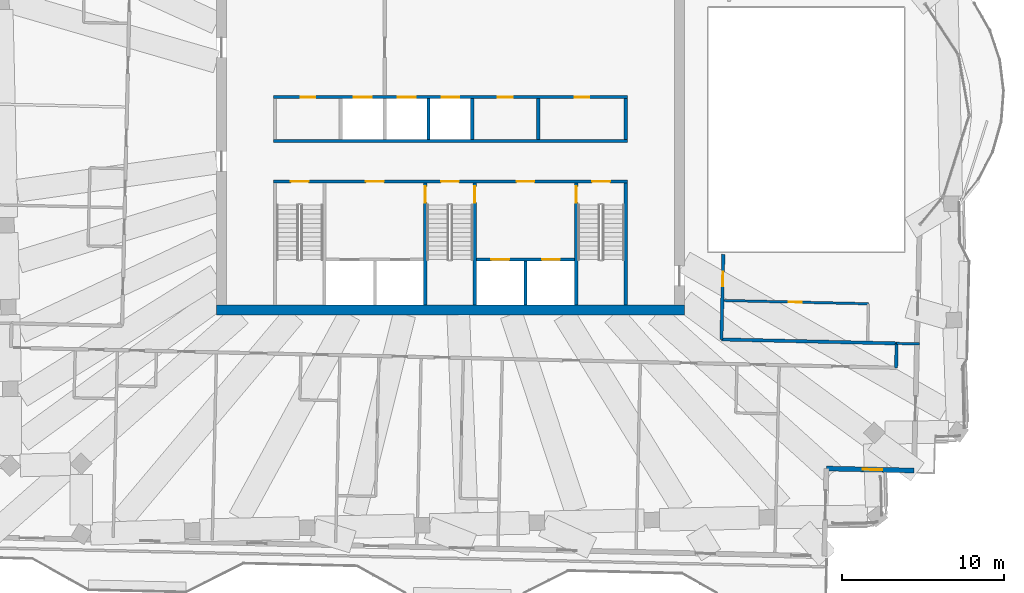
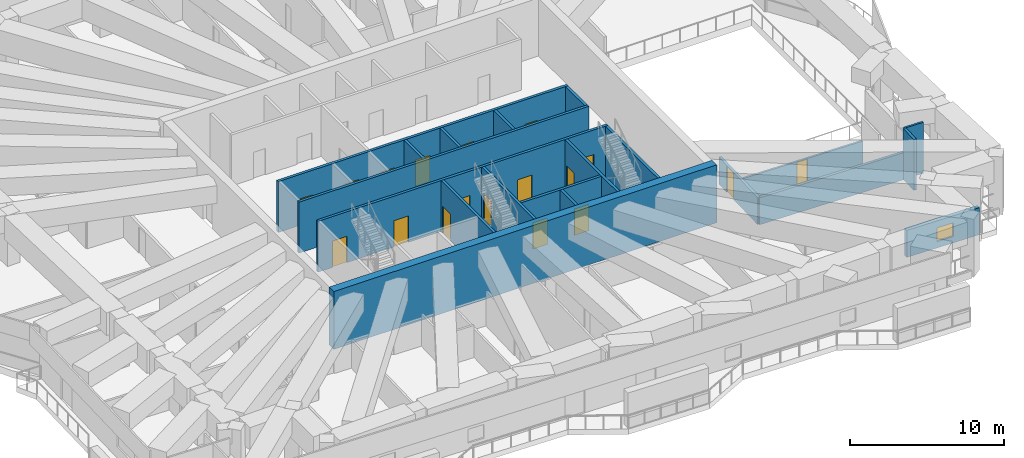
# One storey, part 11 of 20: 20 walls, 18 doors, 1 window, 19 openings.
"""IFC4 building model written with IfcOpenShell, lengths in metres."""

from ifc_helpers import new_model, si_unit, direction, frame, frame_2d, origin, place, context, subcontext, project, spatial, rectangle, extrude, material, layer, layer_set, type_object, element, fill, save


model = new_model("IFC4")

# Units and contexts
model_context = context("Model", 3, precision=1e-05, world=origin(), true_north=direction((0.0, 1.0)))
body_context = subcontext(model_context, "Body", "Model", "MODEL_VIEW")
ifc_project = project(units=[si_unit("LENGTHUNIT", "METRE"), si_unit("AREAUNIT", "SQUARE_METRE"), si_unit("VOLUMEUNIT", "CUBIC_METRE"), si_unit("PLANEANGLEUNIT", "RADIAN"), si_unit("MASSUNIT", "GRAM", prefix="KILO")], contexts=[model_context])

# Site, building, storey
site_placement = place(None, origin())
site = spatial("IfcSite", under=ifc_project, at=site_placement, CompositionType="ELEMENT")
building_placement = place(site_placement, origin())
building = spatial("IfcBuilding", under=site, at=building_placement, Name="Mangrove Gate Tower", CompositionType="ELEMENT")
storey_placement = place(building_placement, frame((0.0, 0.0, 301.5)))
storey = spatial("IfcBuildingStorey", under=building, at=storey_placement, Name="L77", CompositionType="ELEMENT", Elevation=301.5)

# Walls
ifc_material_1 = material(Name="Concrete C32/40", Category="concrete")
ifc_layer_1 = layer(ifc_material_1, 0.199951171875)
ifc_layer_set_1 = layer_set([ifc_layer_1], Name="Core room wall 200 C32/40")
wall_type_1 = type_object("IfcWallType", Name="Core room wall 200 C32/40", PredefinedType="STANDARD", material=ifc_layer_set_1)
for number, where, z_axis, x_axis, name in (
    (1, (5.39990234375, -0.60009765625, 0.0), (0.0, 0.0, 1.0), (0.0, 1.0, 0.0), "WALL-L77-CORE-24"),
    (2, (10.800048828125, -0.60009765625, 0.0), (0.0, 0.0, 1.0), (0.0, 1.0, 0.0), "WALL-L77-CORE-25"),
):
    element("IfcWall", number, at=place(storey_placement, frame(where, z_axis=z_axis, x_axis=x_axis)), inside=storey, type_object=wall_type_1, Name=name, PredefinedType="STANDARD", context=body_context, shape_type="SweptSolid", body=[
        extrude(rectangle(XDim=2.5, YDim=0.199951171875, at=frame_2d((1.25, 0.0))), origin(), (0.0, 0.0, 1.0), 4.050048828125),
    ])
ifc_material_2 = material(Name="Concrete C50/60", Category="concrete")
ifc_layer_2 = layer(ifc_material_2, 0.199951171875)
ifc_layer_set_2 = layer_set([ifc_layer_2], Name="Core shaft wall 200 C50/60")
wall_type_2 = type_object("IfcWallType", Name="Core shaft wall 200 C50/60", PredefinedType="SHEAR", material=ifc_layer_set_2)
wall_1_placement = place(storey_placement, frame((-10.89990234375, -0.699951171875, 0.0), z_axis=(0.0, 0.0, 1.0), x_axis=(1.0, 0.0, 0.0)))
element("IfcWall", 3, at=wall_1_placement, inside=storey, type_object=wall_type_2, Name="WALL-L77-CORE-6", PredefinedType="SHEAR", context=body_context, shape_type="SweptSolid", body=[
    extrude(rectangle(XDim=21.7998046875, YDim=0.199951171875, at=frame_2d((10.89990234375, 0.0))), origin(), (0.0, 0.0, 1.0), 4.050048828125),
])

# Wall, openings, doors
wall_2_placement = place(storey_placement, frame((-10.89990234375, 2.0, 0.0), z_axis=(0.0, 0.0, 1.0), x_axis=(1.0, 0.0, 0.0)))
wall_2 = element("IfcWall", 4, at=wall_2_placement, inside=storey, type_object=wall_type_2, Name="WALL-L77-CORE-7", PredefinedType="SHEAR", context=body_context, shape_type="SweptSolid", body=[
    extrude(rectangle(XDim=21.7998046875, YDim=0.199951171875, at=frame_2d((10.89990234375, 0.0))), origin(), (0.0, 0.0, 1.0), 4.050048828125),
])
opening_1_placement = place(wall_2_placement, frame((4.949951171875, 0.0, 0.0)))
opening_1 = element("IfcOpeningElement", 5, at=opening_1_placement, cuts=wall_2, Name="Opening LD", PredefinedType="OPENING", context=body_context, shape_type="SweptSolid", body=[
    extrude(rectangle(XDim=1.10009765625, YDim=2.10009765625, at=frame_2d((0.550048828125, 1.050048828125))), frame((0.0, 0.10986328125, 0.0), z_axis=(0.0, -1.0, 0.0), x_axis=(1.0, 0.0, 0.0)), (0.0, 0.0, 1.0), 0.219970703125),
])
opening_2_placement = place(wall_2_placement, frame((7.64990234375, 0.0, 0.0)))
opening_2 = element("IfcOpeningElement", 6, at=opening_2_placement, cuts=wall_2, Name="Opening LD", PredefinedType="OPENING", context=body_context, shape_type="SweptSolid", body=[
    extrude(rectangle(XDim=1.10009765625, YDim=2.10009765625, at=frame_2d((0.550048828125, 1.050048828125))), frame((0.0, 0.10986328125, 0.0), z_axis=(0.0, -1.0, 0.0), x_axis=(1.0, 0.0, 0.0)), (0.0, 0.0, 1.0), 0.219970703125),
])
opening_3_placement = place(wall_2_placement, frame((10.35009765625, 0.0, 0.0)))
opening_3 = element("IfcOpeningElement", 7, at=opening_3_placement, cuts=wall_2, Name="Opening LD", PredefinedType="OPENING", context=body_context, shape_type="SweptSolid", body=[
    extrude(rectangle(XDim=1.10009765625, YDim=2.10009765625, at=frame_2d((0.550048828125, 1.050048828125))), frame((0.0, 0.10986328125, 0.0), z_axis=(0.0, -1.0, 0.0), x_axis=(1.0, 0.0, 0.0)), (0.0, 0.0, 1.0), 0.219970703125),
])
opening_4_placement = place(wall_2_placement, frame((1.675048828125, 0.0, 0.0)))
opening_4 = element("IfcOpeningElement", 8, at=opening_4_placement, cuts=wall_2, Name="Opening RD", PredefinedType="OPENING", context=body_context, shape_type="SweptSolid", body=[
    extrude(rectangle(XDim=0.89990234375, YDim=2.10009765625, at=frame_2d((0.449951171875, 1.050048828125))), frame((0.0, 0.10986328125, 0.0), z_axis=(0.0, -1.0, 0.0), x_axis=(1.0, 0.0, 0.0)), (0.0, 0.0, 1.0), 0.219970703125),
])
opening_5_placement = place(wall_2_placement, frame((13.824951171875, 0.0, 0.0)))
opening_5 = element("IfcOpeningElement", 9, at=opening_5_placement, cuts=wall_2, Name="Opening KD", PredefinedType="OPENING", context=body_context, shape_type="SweptSolid", body=[
    extrude(rectangle(XDim=0.89990234375, YDim=2.10009765625, at=frame_2d((0.449951171875, 1.050048828125))), frame((0.0, 0.10986328125, 0.0), z_axis=(0.0, -1.0, 0.0), x_axis=(1.0, 0.0, 0.0)), (0.0, 0.0, 1.0), 0.219970703125),
])
opening_6_placement = place(wall_2_placement, frame((18.550048828125, 0.0, 0.0)))
opening_6 = element("IfcOpeningElement", 10, at=opening_6_placement, cuts=wall_2, Name="Opening KD", PredefinedType="OPENING", context=body_context, shape_type="SweptSolid", body=[
    extrude(rectangle(XDim=0.89990234375, YDim=2.10009765625, at=frame_2d((0.449951171875, 1.050048828125))), frame((0.0, 0.10986328125, 0.0), z_axis=(0.0, -1.0, 0.0), x_axis=(1.0, 0.0, 0.0)), (0.0, 0.0, 1.0), 0.219970703125),
])
ifc_material_3 = material(Name="Fire-rated steel door set", Category="steel")
door_type_1 = type_object("IfcDoorType", Name="Core room door FD30S 900x2100", OperationType="SINGLE_SWING_RIGHT", PredefinedType="DOOR", material=ifc_material_3)
door_1_placement = place(opening_5_placement, origin())
door_1 = element("IfcDoor", 11, at=door_1_placement, inside=storey, type_object=door_type_1, Name="Core room door Core WC", OperationType="SINGLE_SWING_RIGHT", OverallHeight=2.10009765625, OverallWidth=0.89990234375, PredefinedType="DOOR", context=body_context, shape_type="SweptSolid", body=[
    extrude(rectangle(XDim=0.89990234375, YDim=2.10009765625, at=frame_2d((0.449951171875, 1.050048828125))), frame((0.0, 0.02490234375, 0.0), z_axis=(0.0, -1.0, 0.0), x_axis=(1.0, 0.0, 0.0)), (0.0, 0.0, 1.0), 0.050048828125),
])
fill(opening_5, door_1)
door_2_placement = place(opening_6_placement, origin())
door_2 = element("IfcDoor", 12, at=door_2_placement, inside=storey, type_object=door_type_1, Name="Core room door Pantry store", OperationType="SINGLE_SWING_RIGHT", OverallHeight=2.10009765625, OverallWidth=0.89990234375, PredefinedType="DOOR", context=body_context, shape_type="SweptSolid", body=[
    extrude(rectangle(XDim=0.89990234375, YDim=2.10009765625, at=frame_2d((0.449951171875, 1.050048828125))), frame((0.0, 0.02490234375, 0.0), z_axis=(0.0, -1.0, 0.0), x_axis=(1.0, 0.0, 0.0)), (0.0, 0.0, 1.0), 0.050048828125),
])
fill(opening_6, door_2)
ifc_material_4 = material(Name="Stainless steel 316", Category="steel")
door_type_2 = type_object("IfcDoorType", Name="Lift landing door 1100x2100", OperationType="SLIDING_TO_LEFT", PredefinedType="DOOR", material=ifc_material_4)
door_3_placement = place(opening_1_placement, origin())
door_3 = element("IfcDoor", 13, at=door_3_placement, inside=storey, type_object=door_type_2, Name="Landing door LD H01", OperationType="SLIDING_TO_LEFT", OverallHeight=2.10009765625, OverallWidth=1.10009765625, PredefinedType="DOOR", context=body_context, shape_type="SweptSolid", body=[
    extrude(rectangle(XDim=1.10009765625, YDim=2.10009765625, at=frame_2d((0.550048828125, 1.050048828125))), frame((0.0, 0.02490234375, 0.0), z_axis=(0.0, -1.0, 0.0), x_axis=(1.0, 0.0, 0.0)), (0.0, 0.0, 1.0), 0.050048828125),
])
fill(opening_1, door_3)
door_4_placement = place(opening_2_placement, origin())
door_4 = element("IfcDoor", 14, at=door_4_placement, inside=storey, type_object=door_type_2, Name="Landing door LD H02", OperationType="SLIDING_TO_LEFT", OverallHeight=2.10009765625, OverallWidth=1.10009765625, PredefinedType="DOOR", context=body_context, shape_type="SweptSolid", body=[
    extrude(rectangle(XDim=1.10009765625, YDim=2.10009765625, at=frame_2d((0.550048828125, 1.050048828125))), frame((0.0, 0.02490234375, 0.0), z_axis=(0.0, -1.0, 0.0), x_axis=(1.0, 0.0, 0.0)), (0.0, 0.0, 1.0), 0.050048828125),
])
fill(opening_2, door_4)
door_5_placement = place(opening_3_placement, origin())
door_5 = element("IfcDoor", 15, at=door_5_placement, inside=storey, type_object=door_type_2, Name="Landing door LD H03", OperationType="SLIDING_TO_LEFT", OverallHeight=2.10009765625, OverallWidth=1.10009765625, PredefinedType="DOOR", context=body_context, shape_type="SweptSolid", body=[
    extrude(rectangle(XDim=1.10009765625, YDim=2.10009765625, at=frame_2d((0.550048828125, 1.050048828125))), frame((0.0, 0.02490234375, 0.0), z_axis=(0.0, -1.0, 0.0), x_axis=(1.0, 0.0, 0.0)), (0.0, 0.0, 1.0), 0.050048828125),
])
fill(opening_3, door_5)
ifc_material_5 = material(Name="Fire-rated steel door set", Category="steel")
door_type_3 = type_object("IfcDoorType", Name="Riser door FD30S 900x2100", OperationType="SINGLE_SWING_LEFT", PredefinedType="DOOR", material=ifc_material_5)
door_6_placement = place(opening_4_placement, origin())
door_6 = element("IfcDoor", 16, at=door_6_placement, inside=storey, type_object=door_type_3, Name="Riser door Comms room", OperationType="SINGLE_SWING_LEFT", OverallHeight=2.10009765625, OverallWidth=0.89990234375, PredefinedType="DOOR", context=body_context, shape_type="SweptSolid", body=[
    extrude(rectangle(XDim=0.89990234375, YDim=2.10009765625, at=frame_2d((0.449951171875, 1.050048828125))), frame((0.0, 0.02490234375, 0.0), z_axis=(0.0, -1.0, 0.0), x_axis=(1.0, 0.0, 0.0)), (0.0, 0.0, 1.0), 0.050048828125),
])
fill(opening_4, door_6)

wall_3_placement = place(storey_placement, frame((1.60009765625, -8.0, 0.0), z_axis=(0.0, 0.0, 1.0), x_axis=(1.0, 0.0, 0.0)))
wall_3 = element("IfcWall", 17, at=wall_3_placement, inside=storey, type_object=wall_type_2, Name="WALL-L77-CORE-17", PredefinedType="SHEAR", context=body_context, shape_type="SweptSolid", body=[
    extrude(rectangle(XDim=6.0498046875, YDim=0.199951171875, at=frame_2d((3.02490234375, 0.0))), origin(), (0.0, 0.0, 1.0), 4.050048828125),
])
opening_7_placement = place(wall_3_placement, frame((0.91259765625, 0.0, 0.0)))
opening_7 = element("IfcOpeningElement", 18, at=opening_7_placement, cuts=wall_3, Name="Opening LD", PredefinedType="OPENING", context=body_context, shape_type="SweptSolid", body=[
    extrude(rectangle(XDim=1.10009765625, YDim=2.10009765625, at=frame_2d((0.550048828125, 1.050048828125))), frame((0.0, 0.10986328125, 0.0), z_axis=(0.0, -1.0, 0.0), x_axis=(1.0, 0.0, 0.0)), (0.0, 0.0, 1.0), 0.219970703125),
])
opening_8_placement = place(wall_3_placement, frame((4.03759765625, 0.0, 0.0)))
opening_8 = element("IfcOpeningElement", 19, at=opening_8_placement, cuts=wall_3, Name="Opening LD", PredefinedType="OPENING", context=body_context, shape_type="SweptSolid", body=[
    extrude(rectangle(XDim=1.10009765625, YDim=2.10009765625, at=frame_2d((0.550048828125, 1.050048828125))), frame((0.0, 0.10986328125, 0.0), z_axis=(0.0, -1.0, 0.0), x_axis=(1.0, 0.0, 0.0)), (0.0, 0.0, 1.0), 0.219970703125),
])
door_7_placement = place(opening_7_placement, origin())
door_7 = element("IfcDoor", 20, at=door_7_placement, inside=storey, type_object=door_type_2, Name="Landing door LD FFL1", OperationType="SLIDING_TO_LEFT", OverallHeight=2.10009765625, OverallWidth=1.10009765625, PredefinedType="DOOR", context=body_context, shape_type="SweptSolid", body=[
    extrude(rectangle(XDim=1.10009765625, YDim=2.10009765625, at=frame_2d((0.550048828125, 1.050048828125))), frame((0.0, 0.02490234375, 0.0), z_axis=(0.0, -1.0, 0.0), x_axis=(1.0, 0.0, 0.0)), (0.0, 0.0, 1.0), 0.050048828125),
])
fill(opening_7, door_7)
door_8_placement = place(opening_8_placement, origin())
door_8 = element("IfcDoor", 21, at=door_8_placement, inside=storey, type_object=door_type_2, Name="Landing door LD FFL2", OperationType="SLIDING_TO_LEFT", OverallHeight=2.10009765625, OverallWidth=1.10009765625, PredefinedType="DOOR", context=body_context, shape_type="SweptSolid", body=[
    extrude(rectangle(XDim=1.10009765625, YDim=2.10009765625, at=frame_2d((0.550048828125, 1.050048828125))), frame((0.0, 0.02490234375, 0.0), z_axis=(0.0, -1.0, 0.0), x_axis=(1.0, 0.0, 0.0)), (0.0, 0.0, 1.0), 0.050048828125),
])
fill(opening_8, door_8)

# Walls
wall_4_placement = place(storey_placement, frame((4.625, -10.800048828125, 0.0), z_axis=(0.0, 0.0, 1.0), x_axis=(0.0, 1.0, 0.0)))
element("IfcWall", 22, at=wall_4_placement, inside=storey, type_object=wall_type_2, Name="WALL-L77-CORE-18", PredefinedType="SHEAR", context=body_context, shape_type="SweptSolid", body=[
    extrude(rectangle(XDim=2.699951171875, YDim=0.199951171875, at=frame_2d((1.35009765625, 0.0))), origin(), (0.0, 0.0, 1.0), 4.050048828125),
])
for number, where, z_axis, x_axis, name in (
    (23, (-1.35009765625, -0.60009765625, 0.0), (0.0, 0.0, 1.0), (0.0, 1.0, 0.0), "WALL-L77-CORE-22"),
    (24, (1.35009765625, -0.60009765625, 0.0), (0.0, 0.0, 1.0), (0.0, 1.0, 0.0), "WALL-L77-CORE-23"),
):
    element("IfcWall", number, at=place(storey_placement, frame(where, z_axis=z_axis, x_axis=x_axis)), inside=storey, type_object=wall_type_2, Name=name, PredefinedType="SHEAR", context=body_context, shape_type="SweptSolid", body=[
        extrude(rectangle(XDim=2.5, YDim=0.199951171875, at=frame_2d((1.25, 0.0))), origin(), (0.0, 0.0, 1.0), 4.050048828125),
    ])

# Wall, openings, doors
ifc_material_6 = material(Name="Concrete C50/60", Category="concrete")
ifc_layer_3 = layer(ifc_material_6, 0.199951171875)
ifc_layer_set_3 = layer_set([ifc_layer_3], Name="Core stair wall 200 C50/60")
wall_type_3 = type_object("IfcWallType", Name="Core stair wall 200 C50/60", PredefinedType="SHEAR", material=ifc_layer_set_3)
wall_5_placement = place(storey_placement, frame((-10.89990234375, -3.199951171875, 0.0), z_axis=(0.0, 0.0, 1.0), x_axis=(1.0, 0.0, 0.0)))
wall_5 = element("IfcWall", 25, at=wall_5_placement, inside=storey, type_object=wall_type_3, Name="WALL-L77-CORE-5", PredefinedType="SHEAR", context=body_context, shape_type="SweptSolid", body=[
    extrude(rectangle(XDim=21.7998046875, YDim=0.199951171875, at=frame_2d((10.89990234375, 0.0))), origin(), (0.0, 0.0, 1.0), 4.050048828125),
])
opening_9_placement = place(wall_5_placement, frame((1.074951171875, 0.0, 0.0)))
opening_9 = element("IfcOpeningElement", 26, at=opening_9_placement, cuts=wall_5, Name="Opening STD11", PredefinedType="OPENING", context=body_context, shape_type="SweptSolid", body=[
    extrude(rectangle(XDim=1.10009765625, YDim=2.10009765625, at=frame_2d((0.550048828125, 1.050048828125))), frame((0.0, 0.10986328125, 0.0), z_axis=(0.0, -1.0, 0.0), x_axis=(1.0, 0.0, 0.0)), (0.0, 0.0, 1.0), 0.219970703125),
])
opening_10_placement = place(wall_5_placement, frame((10.324951171875, 0.0, 0.0)))
opening_10 = element("IfcOpeningElement", 27, at=opening_10_placement, cuts=wall_5, Name="Opening STD11", PredefinedType="OPENING", context=body_context, shape_type="SweptSolid", body=[
    extrude(rectangle(XDim=1.10009765625, YDim=2.10009765625, at=frame_2d((0.550048828125, 1.050048828125))), frame((0.0, 0.10986328125, 0.0), z_axis=(0.0, -1.0, 0.0), x_axis=(1.0, 0.0, 0.0)), (0.0, 0.0, 1.0), 0.219970703125),
])
opening_11_placement = place(wall_5_placement, frame((19.625, 0.0, 0.0)))
opening_11 = element("IfcOpeningElement", 28, at=opening_11_placement, cuts=wall_5, Name="Opening STD11", PredefinedType="OPENING", context=body_context, shape_type="SweptSolid", body=[
    extrude(rectangle(XDim=1.10009765625, YDim=2.10009765625, at=frame_2d((0.550048828125, 1.050048828125))), frame((0.0, 0.10986328125, 0.0), z_axis=(0.0, -1.0, 0.0), x_axis=(1.0, 0.0, 0.0)), (0.0, 0.0, 1.0), 0.219970703125),
])
opening_12_placement = place(wall_5_placement, frame((5.699951171875, 0.0, 0.0)))
opening_12 = element("IfcOpeningElement", 29, at=opening_12_placement, cuts=wall_5, Name="Opening FL", PredefinedType="OPENING", context=body_context, shape_type="SweptSolid", body=[
    extrude(rectangle(XDim=1.10009765625, YDim=2.10009765625, at=frame_2d((0.550048828125, 1.050048828125))), frame((0.0, 0.10986328125, 0.0), z_axis=(0.0, -1.0, 0.0), x_axis=(1.0, 0.0, 0.0)), (0.0, 0.0, 1.0), 0.219970703125),
])
opening_13_placement = place(wall_5_placement, frame((14.97509765625, 0.0, 0.0)))
opening_13 = element("IfcOpeningElement", 30, at=opening_13_placement, cuts=wall_5, Name="Opening FL", PredefinedType="OPENING", context=body_context, shape_type="SweptSolid", body=[
    extrude(rectangle(XDim=1.10009765625, YDim=2.10009765625, at=frame_2d((0.550048828125, 1.050048828125))), frame((0.0, 0.10986328125, 0.0), z_axis=(0.0, -1.0, 0.0), x_axis=(1.0, 0.0, 0.0)), (0.0, 0.0, 1.0), 0.219970703125),
])
ifc_material_7 = material(Name="Fire-rated steel door set", Category="steel")
door_type_4 = type_object("IfcDoorType", Name="Lobby door FD60 1100x2100", OperationType="SINGLE_SWING_LEFT", PredefinedType="DOOR", material=ifc_material_7)
door_9_placement = place(opening_12_placement, origin())
door_9 = element("IfcDoor", 31, at=door_9_placement, inside=storey, type_object=door_type_4, Name="Lobby door service lobby", OperationType="SINGLE_SWING_LEFT", OverallHeight=2.10009765625, OverallWidth=1.10009765625, PredefinedType="DOOR", context=body_context, shape_type="SweptSolid", body=[
    extrude(rectangle(XDim=1.10009765625, YDim=2.10009765625, at=frame_2d((0.550048828125, 1.050048828125))), frame((0.0, 0.02490234375, 0.0), z_axis=(0.0, -1.0, 0.0), x_axis=(1.0, 0.0, 0.0)), (0.0, 0.0, 1.0), 0.050048828125),
])
fill(opening_12, door_9)
door_10_placement = place(opening_13_placement, origin())
door_10 = element("IfcDoor", 32, at=door_10_placement, inside=storey, type_object=door_type_4, Name="Lobby door fire-fighting lobby", OperationType="SINGLE_SWING_LEFT", OverallHeight=2.10009765625, OverallWidth=1.10009765625, PredefinedType="DOOR", context=body_context, shape_type="SweptSolid", body=[
    extrude(rectangle(XDim=1.10009765625, YDim=2.10009765625, at=frame_2d((0.550048828125, 1.050048828125))), frame((0.0, 0.02490234375, 0.0), z_axis=(0.0, -1.0, 0.0), x_axis=(1.0, 0.0, 0.0)), (0.0, 0.0, 1.0), 0.050048828125),
])
fill(opening_13, door_10)
ifc_material_8 = material(Name="Fire-rated steel door set", Category="steel")
door_type_5 = type_object("IfcDoorType", Name="Stair door FD60 1100x2100", OperationType="SINGLE_SWING_RIGHT", PredefinedType="DOOR", material=ifc_material_8)
door_11_placement = place(opening_9_placement, origin())
door_11 = element("IfcDoor", 33, at=door_11_placement, inside=storey, type_object=door_type_5, Name="Stair door Stair 1", OperationType="SINGLE_SWING_RIGHT", OverallHeight=2.10009765625, OverallWidth=1.10009765625, PredefinedType="DOOR", context=body_context, shape_type="SweptSolid", body=[
    extrude(rectangle(XDim=1.10009765625, YDim=2.10009765625, at=frame_2d((0.550048828125, 1.050048828125))), frame((0.0, 0.02490234375, 0.0), z_axis=(0.0, -1.0, 0.0), x_axis=(1.0, 0.0, 0.0)), (0.0, 0.0, 1.0), 0.050048828125),
])
fill(opening_9, door_11)
door_12_placement = place(opening_10_placement, origin())
door_12 = element("IfcDoor", 34, at=door_12_placement, inside=storey, type_object=door_type_5, Name="Stair door Stair 2", OperationType="SINGLE_SWING_RIGHT", OverallHeight=2.10009765625, OverallWidth=1.10009765625, PredefinedType="DOOR", context=body_context, shape_type="SweptSolid", body=[
    extrude(rectangle(XDim=1.10009765625, YDim=2.10009765625, at=frame_2d((0.550048828125, 1.050048828125))), frame((0.0, 0.02490234375, 0.0), z_axis=(0.0, -1.0, 0.0), x_axis=(1.0, 0.0, 0.0)), (0.0, 0.0, 1.0), 0.050048828125),
])
fill(opening_10, door_12)
door_13_placement = place(opening_11_placement, origin())
door_13 = element("IfcDoor", 35, at=door_13_placement, inside=storey, type_object=door_type_5, Name="Stair door Stair 3", OperationType="SINGLE_SWING_RIGHT", OverallHeight=2.10009765625, OverallWidth=1.10009765625, PredefinedType="DOOR", context=body_context, shape_type="SweptSolid", body=[
    extrude(rectangle(XDim=1.10009765625, YDim=2.10009765625, at=frame_2d((0.550048828125, 1.050048828125))), frame((0.0, 0.02490234375, 0.0), z_axis=(0.0, -1.0, 0.0), x_axis=(1.0, 0.0, 0.0)), (0.0, 0.0, 1.0), 0.050048828125),
])
fill(opening_11, door_13)

# Wall, opening, door
wall_6_placement = place(storey_placement, frame((-1.550048828125, -10.800048828125, 0.0), z_axis=(0.0, 0.0, 1.0), x_axis=(0.0, 1.0, 0.0)))
wall_6 = element("IfcWall", 36, at=wall_6_placement, inside=storey, type_object=wall_type_3, Name="WALL-L77-CORE-11", PredefinedType="SHEAR", context=body_context, shape_type="SweptSolid", body=[
    extrude(rectangle(XDim=7.5, YDim=0.199951171875, at=frame_2d((3.75, 0.0))), origin(), (0.0, 0.0, 1.0), 4.050048828125),
])
opening_14_placement = place(wall_6_placement, frame((6.300048828125, 0.0, 0.0)))
opening_14 = element("IfcOpeningElement", 37, at=opening_14_placement, cuts=wall_6, Name="Opening STD10", PredefinedType="OPENING", context=body_context, shape_type="SweptSolid", body=[
    extrude(rectangle(XDim=1.0, YDim=2.10009765625, at=frame_2d((0.5, 1.050048828125))), frame((0.0, 0.10986328125, 0.0), z_axis=(0.0, -1.0, 0.0), x_axis=(1.0, 0.0, 0.0)), (0.0, 0.0, 1.0), 0.219970703125),
])
ifc_material_9 = material(Name="Fire-rated steel door set", Category="steel")
door_type_6 = type_object("IfcDoorType", Name="Stair door FD60 1000x2100", OperationType="SINGLE_SWING_RIGHT", PredefinedType="DOOR", material=ifc_material_9)
door_14_placement = place(opening_14_placement, origin())
door_14 = element("IfcDoor", 38, at=door_14_placement, inside=storey, type_object=door_type_6, Name="Stair door Stair 2 from service lobby", OperationType="SINGLE_SWING_RIGHT", OverallHeight=2.10009765625, OverallWidth=1.0, PredefinedType="DOOR", context=body_context, shape_type="SweptSolid", body=[
    extrude(rectangle(XDim=1.0, YDim=2.10009765625, at=frame_2d((0.5, 1.050048828125))), frame((0.0, 0.02490234375, 0.0), z_axis=(0.0, -1.0, 0.0), x_axis=(1.0, 0.0, 0.0)), (0.0, 0.0, 1.0), 0.050048828125),
])
fill(opening_14, door_14)

wall_7_placement = place(storey_placement, frame((1.5, -10.800048828125, 0.0), z_axis=(0.0, 0.0, 1.0), x_axis=(0.0, 1.0, 0.0)))
wall_7 = element("IfcWall", 39, at=wall_7_placement, inside=storey, type_object=wall_type_3, Name="WALL-L77-CORE-12", PredefinedType="SHEAR", context=body_context, shape_type="SweptSolid", body=[
    extrude(rectangle(XDim=7.5, YDim=0.199951171875, at=frame_2d((3.75, 0.0))), origin(), (0.0, 0.0, 1.0), 4.050048828125),
])
opening_15_placement = place(wall_7_placement, frame((6.300048828125, 0.0, 0.0)))
opening_15 = element("IfcOpeningElement", 40, at=opening_15_placement, cuts=wall_7, Name="Opening STD10", PredefinedType="OPENING", context=body_context, shape_type="SweptSolid", body=[
    extrude(rectangle(XDim=1.0, YDim=2.10009765625, at=frame_2d((0.5, 1.050048828125))), frame((0.0, 0.10986328125, 0.0), z_axis=(0.0, -1.0, 0.0), x_axis=(1.0, 0.0, 0.0)), (0.0, 0.0, 1.0), 0.219970703125),
])
door_15_placement = place(opening_15_placement, origin())
door_15 = element("IfcDoor", 41, at=door_15_placement, inside=storey, type_object=door_type_6, Name="Stair door Stair 2 from fire-fighting lobby", OperationType="SINGLE_SWING_RIGHT", OverallHeight=2.10009765625, OverallWidth=1.0, PredefinedType="DOOR", context=body_context, shape_type="SweptSolid", body=[
    extrude(rectangle(XDim=1.0, YDim=2.10009765625, at=frame_2d((0.5, 1.050048828125))), frame((0.0, 0.02490234375, 0.0), z_axis=(0.0, -1.0, 0.0), x_axis=(1.0, 0.0, 0.0)), (0.0, 0.0, 1.0), 0.050048828125),
])
fill(opening_15, door_15)

wall_8_placement = place(storey_placement, frame((7.75, -10.800048828125, 0.0), z_axis=(0.0, 0.0, 1.0), x_axis=(0.0, 1.0, 0.0)))
wall_8 = element("IfcWall", 42, at=wall_8_placement, inside=storey, type_object=wall_type_3, Name="WALL-L77-CORE-13", PredefinedType="SHEAR", context=body_context, shape_type="SweptSolid", body=[
    extrude(rectangle(XDim=7.5, YDim=0.199951171875, at=frame_2d((3.75, 0.0))), origin(), (0.0, 0.0, 1.0), 4.050048828125),
])
opening_16_placement = place(wall_8_placement, frame((6.300048828125, 0.0, 0.0)))
opening_16 = element("IfcOpeningElement", 43, at=opening_16_placement, cuts=wall_8, Name="Opening STD10", PredefinedType="OPENING", context=body_context, shape_type="SweptSolid", body=[
    extrude(rectangle(XDim=1.0, YDim=2.10009765625, at=frame_2d((0.5, 1.050048828125))), frame((0.0, 0.10986328125, 0.0), z_axis=(0.0, -1.0, 0.0), x_axis=(1.0, 0.0, 0.0)), (0.0, 0.0, 1.0), 0.219970703125),
])
door_16_placement = place(opening_16_placement, origin())
door_16 = element("IfcDoor", 44, at=door_16_placement, inside=storey, type_object=door_type_6, Name="Stair door Stair 3 from fire-fighting lobby", OperationType="SINGLE_SWING_RIGHT", OverallHeight=2.10009765625, OverallWidth=1.0, PredefinedType="DOOR", context=body_context, shape_type="SweptSolid", body=[
    extrude(rectangle(XDim=1.0, YDim=2.10009765625, at=frame_2d((0.5, 1.050048828125))), frame((0.0, 0.02490234375, 0.0), z_axis=(0.0, -1.0, 0.0), x_axis=(1.0, 0.0, 0.0)), (0.0, 0.0, 1.0), 0.050048828125),
])
fill(opening_16, door_16)

# Walls
wall_9_placement = place(storey_placement, frame((10.800048828125, -10.800048828125, 0.0), z_axis=(0.0, 0.0, 1.0), x_axis=(0.0, 1.0, 0.0)))
element("IfcWall", 45, at=wall_9_placement, inside=storey, type_object=wall_type_3, Name="WALL-L77-CORE-14", PredefinedType="SHEAR", context=body_context, shape_type="SweptSolid", body=[
    extrude(rectangle(XDim=7.5, YDim=0.199951171875, at=frame_2d((3.75, 0.0))), origin(), (0.0, 0.0, 1.0), 4.050048828125),
])
ifc_material_10 = material(Name="Concrete C50/60", Category="concrete")
ifc_layer_4 = layer(ifc_material_10, 0.60009765625)
ifc_layer_set_4 = layer_set([ifc_layer_4], Name="Core wall 600 C50/60")
wall_type_4 = type_object("IfcWallType", Name="Core wall 600 C50/60", PredefinedType="SHEAR", material=ifc_layer_set_4)
wall_10_placement = place(storey_placement, frame((-14.39990234375, -11.10009765625, 0.0), z_axis=(0.0, 0.0, 1.0), x_axis=(1.0, 0.0, 0.0)))
element("IfcWall", 46, at=wall_10_placement, inside=storey, type_object=wall_type_4, Name="WALL-L77-CORE-1", PredefinedType="SHEAR", context=body_context, shape_type="SweptSolid", body=[
    extrude(rectangle(XDim=28.7998046875, YDim=0.60009765625, at=frame_2d((14.39990234375, 0.0))), origin(), (0.0, 0.0, 1.0), 4.60009765625),
])
ifc_material_11 = material(Name="Gypsum board on steel stud, EI 60", Category="steel")
ifc_layer_5 = layer(ifc_material_11, 0.199951171875)
ifc_layer_set_5 = layer_set([ifc_layer_5], Name="Corridor wall EI 60")
wall_type_5 = type_object("IfcWallType", Name="Corridor wall EI 60", PredefinedType="PARTITIONING", material=ifc_layer_set_5)
wall_11_placement = place(storey_placement, frame((27.43701171875, -14.6630859375, 0.0), z_axis=(0.0, 0.0, 1.0), x_axis=(0.022617910375, 0.999744182344, 0.0)))
element("IfcWall", 47, at=wall_11_placement, inside=storey, type_object=wall_type_5, Name="WALL-L77-022", PredefinedType="PARTITIONING", context=body_context, shape_type="SweptSolid", body=[
    extrude(rectangle(XDim=1.50048828125, YDim=0.199951171875, at=frame_2d((0.750244140625, 0.0))), origin(), (0.0, 0.0, 1.0), 4.050048828125),
])
wall_12_placement = place(storey_placement, frame((16.678955078125, -12.91796875, 0.0), z_axis=(0.0, 0.0, 1.0), x_axis=(0.999742162372, -0.022707020428, 0.0)))
element("IfcWall", 48, at=wall_12_placement, inside=storey, type_object=wall_type_5, Name="WALL-L77-026", PredefinedType="PARTITIONING", context=body_context, shape_type="SweptSolid", body=[
    extrude(rectangle(XDim=10.794677734375, YDim=0.199951171875, at=frame_2d((5.3974609375, 0.0))), origin(), (0.0, 0.0, 1.0), 2.14990234375),
])

# Wall, opening, door
wall_13_placement = place(storey_placement, frame((16.68408203125, -12.9189453125, 0.0), z_axis=(0.0, 0.0, 1.0), x_axis=(0.022667483124, 0.999743059595, 0.0)))
wall_13 = element("IfcWall", 49, at=wall_13_placement, inside=storey, type_object=wall_type_5, Name="WALL-L77-027", PredefinedType="PARTITIONING", context=body_context, shape_type="SweptSolid", body=[
    extrude(rectangle(XDim=5.245361328125, YDim=0.199951171875, at=frame_2d((2.62255859375, 0.0))), origin(), (0.0, 0.0, 1.0), 2.14990234375),
])
opening_17_placement = place(wall_13_placement, frame((3.27001953125, 0.0, 0.0)))
opening_17 = element("IfcOpeningElement", 50, at=opening_17_placement, cuts=wall_13, Name="Opening BD", PredefinedType="OPENING", context=body_context, shape_type="SweptSolid", body=[
    extrude(rectangle(XDim=0.89990234375, YDim=2.10009765625, at=frame_2d((0.449951171875, 1.050048828125))), frame((0.0, 0.10986328125, 0.0), z_axis=(0.0, -1.0, 0.0), x_axis=(1.0, 0.0, 0.0)), (0.0, 0.0, 1.0), 0.219970703125),
])
ifc_material_12 = material(Name="Timber door leaf", Category="wood")
door_type_7 = type_object("IfcDoorType", Name="Bedroom door 900", OperationType="SINGLE_SWING_LEFT", PredefinedType="DOOR", material=ifc_material_12)
door_17_placement = place(opening_17_placement, origin())
door_17 = element("IfcDoor", 51, at=door_17_placement, inside=storey, type_object=door_type_7, Name="DOOR-L77-BED-c203", OperationType="SINGLE_SWING_LEFT", OverallHeight=2.10009765625, OverallWidth=0.89990234375, PredefinedType="DOOR", context=body_context, shape_type="SweptSolid", body=[
    extrude(rectangle(XDim=0.89990234375, YDim=2.10009765625, at=frame_2d((0.449951171875, 1.050048828125))), frame((0.0, 0.02490234375, 0.0), z_axis=(0.0, -1.0, 0.0), x_axis=(1.0, 0.0, 0.0)), (0.0, 0.0, 1.0), 0.050048828125),
])
fill(opening_17, door_17)

# Wall, opening, window
ifc_material_13 = material(Name="Limestone", Category="masonry")
ifc_layer_6 = layer(ifc_material_13, 0.0400390625, Name="Limestone cladding")
ifc_material_14 = material(Name="Ventilated air gap")
ifc_layer_7 = layer(ifc_material_14, 0.0400390625, Name="Ventilated cavity")
ifc_material_15 = material(Name="Mineral wool insulation")
ifc_layer_8 = layer(ifc_material_15, 0.06005859375, Name="Insulation")
ifc_material_16 = material(Name="Breather membrane")
ifc_layer_9 = layer(ifc_material_16, 0.001953125, Name="Breather membrane")
ifc_material_17 = material(Name="Concrete C20/25 blockwork", Category="masonry")
ifc_layer_10 = layer(ifc_material_17, 0.14990234375, Name="Blockwork backing wall")
ifc_material_18 = material(Name="Gypsum plaster")
ifc_layer_11 = layer(ifc_material_18, 0.008056640625, Name="Internal plaster")
ifc_layer_set_6 = layer_set([ifc_layer_6, ifc_layer_7, ifc_layer_8, ifc_layer_9, ifc_layer_10, ifc_layer_11], Name="External wall 300 limestone cladding")
wall_type_6 = type_object("IfcWallType", Name="External wall 300 limestone cladding", PredefinedType="SOLIDWALL", material=ifc_layer_set_6)
wall_14_placement = place(storey_placement, frame((23.14599609375, -20.866943359375, 0.0), z_axis=(0.0, 0.0, 1.0), x_axis=(0.999740292565, -0.022789195272, 0.0)))
wall_14 = element("IfcWall", 52, at=wall_14_placement, inside=storey, type_object=wall_type_6, Name="WALL-L77-S15", PredefinedType="SOLIDWALL", context=body_context, shape_type="SweptSolid", body=[
    extrude(rectangle(XDim=5.3994140625, YDim=0.300048828125, at=frame_2d((2.69970703125, 0.0))), origin(), (0.0, 0.0, 1.0), 2.14990234375),
])
opening_18_placement = place(wall_14_placement, frame((2.25, 0.0, 0.5)))
opening_18 = element("IfcOpeningElement", 53, at=opening_18_placement, cuts=wall_14, Name="Opening W6", PredefinedType="OPENING", context=body_context, shape_type="SweptSolid", body=[
    extrude(rectangle(XDim=1.199951171875, YDim=1.10009765625, at=frame_2d((0.60009765625, 0.550048828125))), frame((0.0, 0.159912109375, 0.0), z_axis=(0.0, -1.0, 0.0), x_axis=(1.0, 0.0, 0.0)), (0.0, 0.0, 1.0), 0.320068359375),
])
ifc_material_19 = material(Name="Aluminium frame with double-glazed low-e glass", Category="aluminium")
window_type = type_object("IfcWindowType", Name="Low window 1200x1100", PartitioningType="SINGLE_PANEL", PredefinedType="WINDOW", material=ifc_material_19)
window_placement = place(opening_18_placement, origin())
window = element("IfcWindow", 54, at=window_placement, inside=storey, type_object=window_type, Name="WIN-L77-S15-1", OverallHeight=1.10009765625, OverallWidth=1.199951171875, PartitioningType="SINGLE_PANEL", PredefinedType="WINDOW", context=body_context, shape_type="SweptSolid", body=[
    extrude(rectangle(XDim=1.199951171875, YDim=1.10009765625, at=frame_2d((0.60009765625, 0.550048828125))), frame((0.0, 0.030029296875, 0.0), z_axis=(0.0, -1.0, 0.0), x_axis=(1.0, 0.0, 0.0)), (0.0, 0.0, 1.0), 0.06005859375),
])
fill(opening_18, window)

# Wall
ifc_material_20 = material(Name="Gypsum board on steel stud, EI 60", Category="steel")
ifc_layer_12 = layer(ifc_material_20, 0.14990234375)
ifc_layer_set_7 = layer_set([ifc_layer_12], Name="Party wall 150 EI 60")
wall_type_7 = type_object("IfcWallType", Name="Party wall 150 EI 60", PredefinedType="PARTITIONING", material=ifc_layer_set_7)
wall_15_placement = place(storey_placement, frame((27.467041015625, -13.1630859375, 0.0), z_axis=(0.0, 0.0, 1.0), x_axis=(0.999740667531, -0.022772739949, 0.0)))
element("IfcWall", 55, at=wall_15_placement, inside=storey, type_object=wall_type_7, Name="WALL-L77-029", PredefinedType="PARTITIONING", context=body_context, shape_type="SweptSolid", body=[
    extrude(rectangle(XDim=1.404296875, YDim=0.14990234375, at=frame_2d((0.7021484375, 0.0))), origin(), (0.0, 0.0, 1.0), 4.050048828125),
])

# Wall, opening, door
wall_16_placement = place(storey_placement, frame((16.833984375, -10.52099609375, 0.0), z_axis=(0.0, 0.0, 1.0), x_axis=(0.999742599783, -0.022687753966, 0.0)))
wall_16 = element("IfcWall", 56, at=wall_16_placement, inside=storey, type_object=wall_type_7, Name="WALL-L77-030", PredefinedType="PARTITIONING", context=body_context, shape_type="SweptSolid", body=[
    extrude(rectangle(XDim=8.899169921875, YDim=0.14990234375, at=frame_2d((4.44970703125, 0.0))), origin(), (0.0, 0.0, 1.0), 2.14990234375),
])
opening_19_placement = place(wall_16_placement, frame((4.0, 0.0, 0.0)))
opening_19 = element("IfcOpeningElement", 57, at=opening_19_placement, cuts=wall_16, Name="Opening ED", PredefinedType="OPENING", context=body_context, shape_type="SweptSolid", body=[
    extrude(rectangle(XDim=0.800048828125, YDim=2.10009765625, at=frame_2d((0.39990234375, 1.050048828125))), frame((0.0, 0.0849609375, 0.0), z_axis=(0.0, -1.0, 0.0), x_axis=(1.0, 0.0, 0.0)), (0.0, 0.0, 1.0), 0.169921875),
])
ifc_material_21 = material(Name="Timber door leaf", Category="wood")
door_type_8 = type_object("IfcDoorType", Name="En-suite door 800", OperationType="SINGLE_SWING_LEFT", PredefinedType="DOOR", material=ifc_material_21)
door_18_placement = place(opening_19_placement, origin())
door_18 = element("IfcDoor", 58, at=door_18_placement, inside=storey, type_object=door_type_8, Name="DOOR-L77-ENS-c203", OperationType="SINGLE_SWING_LEFT", OverallHeight=2.10009765625, OverallWidth=0.800048828125, PredefinedType="DOOR", context=body_context, shape_type="SweptSolid", body=[
    extrude(rectangle(XDim=0.800048828125, YDim=2.10009765625, at=frame_2d((0.39990234375, 1.050048828125))), frame((0.0, 0.02490234375, 0.0), z_axis=(0.0, -1.0, 0.0), x_axis=(1.0, 0.0, 0.0)), (0.0, 0.0, 1.0), 0.050048828125),
])
fill(opening_19, door_18)

save(model, "model.ifc")
